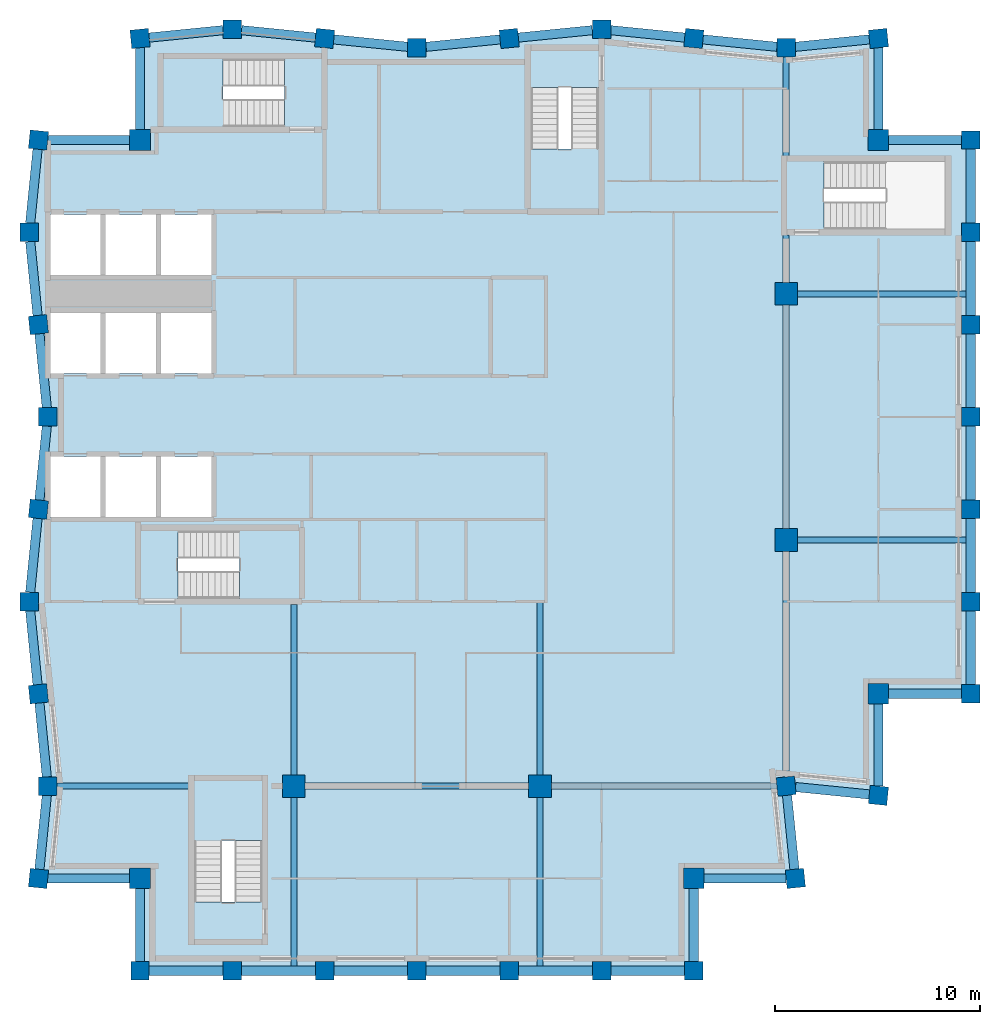
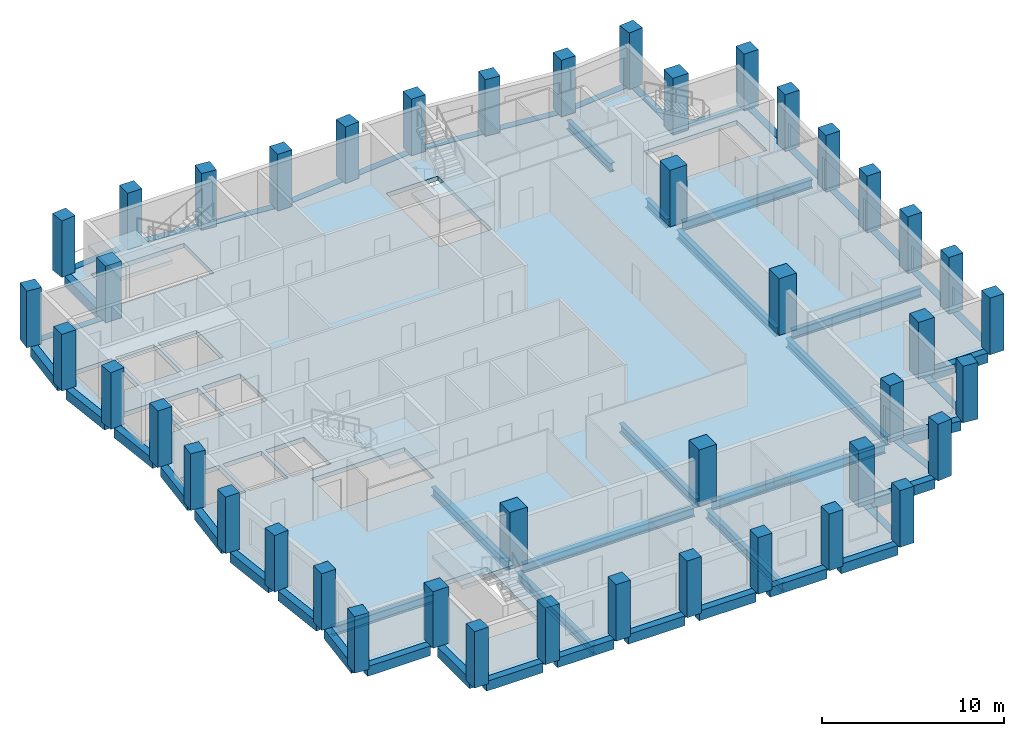
# One storey, part 1 of 7: 53 beams, 44 columns, 5 slabs, 4 elements without a shape of their own.
"""IFC4 building model written with IfcOpenShell, lengths in metres."""

from ifc_helpers import new_model, si_unit, direction, frame, origin, origin_2d, place, context, subcontext, project, spatial, polyline, rectangle, i_section, outline, extrude, material, layer, layer_set, material_profile, profile_set, type_object, element, aggregate, save


model = new_model("IFC4")

# Units and contexts
model_context = context("Model", 3, precision=1e-05, world=origin(), true_north=direction((0.0, 1.0)))
body_context = subcontext(model_context, "Body", "Model", "MODEL_VIEW")
ifc_project = project(units=[si_unit("LENGTHUNIT", "METRE"), si_unit("AREAUNIT", "SQUARE_METRE"), si_unit("VOLUMEUNIT", "CUBIC_METRE"), si_unit("PLANEANGLEUNIT", "RADIAN"), si_unit("MASSUNIT", "GRAM", prefix="KILO")], contexts=[model_context])

# Site, building, storey
site_placement = place(None, origin())
site = spatial("IfcSite", under=ifc_project, at=site_placement, CompositionType="ELEMENT")
building_placement = place(site_placement, origin())
building = spatial("IfcBuilding", under=site, at=building_placement, Name="Brondeck Convention Tower", CompositionType="ELEMENT")
storey_placement = place(building_placement, frame((0.0, 0.0, 256.199951171875)))
storey = spatial("IfcBuildingStorey", under=building, at=storey_placement, Name="L63", CompositionType="ELEMENT", Elevation=256.199951171875)

# Columns
ifc_material_1 = material(Name="Concrete C50/60", Category="concrete")
ifc_material_profile_1 = material_profile(ifc_material_1, rectangle(XDim=1.0, YDim=1.0, at=origin_2d()), Name="Corner column 1000x1000 Concrete C50/60")
ifc_profile_set_1 = profile_set([ifc_material_profile_1], Name="Concrete C50/60")
column_type_1 = type_object("IfcColumnType", Name="Corner column 1000x1000 Concrete C50/60", PredefinedType="COLUMN", material=ifc_profile_set_1)
for number, where, z_axis, x_axis, name in (
    (1, (4.5, 22.5, 0.0), (0.0, 0.0, 1.0), (1.0, 0.0, 0.0), "STR-COL-L63-NC-SWB18"),
    (2, (31.5, 22.5, 0.0), (0.0, 0.0, 1.0), (1.0, 0.0, 0.0), "STR-COL-L63-NC-SEB18"),
    (3, (40.5, 31.5, 0.0), (0.0, 0.0, 1.0), (1.0, 0.0, 0.0), "STR-COL-L63-NC-SEA45"),
    (4, (40.5, 58.5, 0.0), (0.0, 0.0, 1.0), (1.0, 0.0, 0.0), "STR-COL-L63-NC-NEA45"),
    (5, (4.5, 58.5, 0.0), (0.0, 0.0, 1.0), (1.0, 0.0, 0.0), "STR-COL-L63-NC-NW"),
):
    element("IfcColumn", number, at=place(storey_placement, frame(where, z_axis=z_axis, x_axis=x_axis)), inside=storey, type_object=column_type_1, Name=name, PredefinedType="COLUMN", context=body_context, shape_type="SweptSolid", body=[
        extrude(rectangle(XDim=1.0, YDim=1.0, at=origin_2d()), origin(), (0.0, 0.0, 1.0), 3.800048828125),
    ])
ifc_material_profile_2 = material_profile(ifc_material_1, rectangle(XDim=1.10009765625, YDim=1.10009765625, at=origin_2d()), Name="Interior column 1100x1100 Concrete C50/60")
ifc_profile_set_2 = profile_set([ifc_material_profile_2], Name="Concrete C50/60")
column_type_2 = type_object("IfcColumnType", Name="Interior column 1100x1100 Concrete C50/60", PredefinedType="COLUMN", material=ifc_profile_set_2)
for number, where, z_axis, x_axis, name in (
    (6, (12.0, 27.0, 0.0), (0.0, 0.0, 1.0), (1.0, 0.0, 0.0), "STR-COL-L63-IC-03"),
    (7, (24.0, 27.0, 0.0), (0.0, 0.0, 1.0), (1.0, 0.0, 0.0), "STR-COL-L63-IC-06"),
    (8, (36.0, 39.0, 0.0), (0.0, 0.0, 1.0), (1.0, 0.0, 0.0), "STR-COL-L63-IC-07"),
    (9, (36.0, 51.0, 0.0), (0.0, 0.0, 1.0), (1.0, 0.0, 0.0), "STR-COL-L63-IC-08"),
):
    element("IfcColumn", number, at=place(storey_placement, frame(where, z_axis=z_axis, x_axis=x_axis)), inside=storey, type_object=column_type_2, Name=name, PredefinedType="COLUMN", context=body_context, shape_type="SweptSolid", body=[
        extrude(rectangle(XDim=1.10009765625, YDim=1.10009765625, at=origin_2d()), origin(), (0.0, 0.0, 1.0), 3.800048828125),
    ])
ifc_material_profile_3 = material_profile(ifc_material_1, rectangle(XDim=0.89990234375, YDim=0.89990234375, at=origin_2d()), Name="Perimeter pier 900x900 Concrete C50/60")
ifc_profile_set_3 = profile_set([ifc_material_profile_3], Name="Concrete C50/60")
column_type_3 = type_object("IfcColumnType", Name="Perimeter pier 900x900 Concrete C50/60", PredefinedType="COLUMN", material=ifc_profile_set_3)
for number, where, z_axis, x_axis, name in (
    (10, (4.5, 18.0, 0.0), (0.0, 0.0, 1.0), (1.0, 0.0, 0.0), "STR-COL-L63-PC-B-S18-01"),
    (11, (9.0, 18.0, 0.0), (0.0, 0.0, 1.0), (1.0, 0.0, 0.0), "STR-COL-L63-PC-B-S18-02"),
    (12, (13.5, 18.0, 0.0), (0.0, 0.0, 1.0), (1.0, 0.0, 0.0), "STR-COL-L63-PC-B-S18-03"),
    (13, (18.0, 18.0, 0.0), (0.0, 0.0, 1.0), (1.0, 0.0, 0.0), "STR-COL-L63-PC-B-S18-04"),
    (14, (22.5, 18.0, 0.0), (0.0, 0.0, 1.0), (1.0, 0.0, 0.0), "STR-COL-L63-PC-B-S18-05"),
    (15, (27.0, 18.0, 0.0), (0.0, 0.0, 1.0), (1.0, 0.0, 0.0), "STR-COL-L63-PC-B-S18-06"),
    (16, (31.5, 18.0, 0.0), (0.0, 0.0, 1.0), (1.0, 0.0, 0.0), "STR-COL-L63-PC-B-S18-07"),
    (17, (36.449951171875, 22.5, 0.0), (0.0, 0.0, 1.0), (-0.0995038382, 0.995037178292, 0.0), "STR-COL-L63-PC-B-E-01"),
    (18, (36.0, 27.0, 0.0), (0.0, 0.0, 1.0), (-0.0995038382, 0.995037178292, 0.0), "STR-COL-L63-PC-B-E-00"),
    (19, (40.5, 26.550048828125, 0.0), (0.0, 0.0, 1.0), (0.995037178292, -0.0995038382, 0.0), "STR-COL-L63-PC-A-S-01"),
    (20, (45.0, 31.5, 0.0), (0.0, 0.0, 1.0), (0.0, 1.0, 0.0), "STR-COL-L63-PC-A-E45-01"),
    (21, (45.0, 36.0, 0.0), (0.0, 0.0, 1.0), (0.0, 1.0, 0.0), "STR-COL-L63-PC-A-E45-02"),
    (22, (45.0, 40.5, 0.0), (0.0, 0.0, 1.0), (0.0, 1.0, 0.0), "STR-COL-L63-PC-A-E45-03"),
    (23, (45.0, 45.0, 0.0), (0.0, 0.0, 1.0), (0.0, 1.0, 0.0), "STR-COL-L63-PC-A-E45-04"),
    (24, (45.0, 49.5, 0.0), (0.0, 0.0, 1.0), (0.0, 1.0, 0.0), "STR-COL-L63-PC-A-E45-05"),
    (25, (45.0, 54.0, 0.0), (0.0, 0.0, 1.0), (0.0, 1.0, 0.0), "STR-COL-L63-PC-A-E45-06"),
    (26, (45.0, 58.5, 0.0), (0.0, 0.0, 1.0), (0.0, 1.0, 0.0), "STR-COL-L63-PC-A-E45-07"),
    (27, (40.5, 63.449951171875, 0.0), (0.0, 0.0, 1.0), (-0.995037178292, -0.0995038382, 0.0), "STR-COL-L63-PC-A-N-09"),
    (28, (36.0, 63.0, 0.0), (0.0, 0.0, 1.0), (-1.0, 0.0, 0.0), "STR-COL-L63-PC-A-N-08"),
    (29, (31.5, 63.449951171875, 0.0), (0.0, 0.0, 1.0), (-0.995037178292, 0.0995038382, 0.0), "STR-COL-L63-PC-A-N-07"),
    (30, (27.0, 63.89990234375, 0.0), (0.0, 0.0, 1.0), (-1.0, 0.0, 0.0), "STR-COL-L63-PC-A-N-06"),
    (31, (22.5, 63.449951171875, 0.0), (0.0, 0.0, 1.0), (-0.995037178292, -0.0995038382, 0.0), "STR-COL-L63-PC-A-N-05"),
    (32, (18.0, 63.0, 0.0), (0.0, 0.0, 1.0), (-1.0, 0.0, 0.0), "STR-COL-L63-PC-A-N-04"),
    (33, (13.5, 63.449951171875, 0.0), (0.0, 0.0, 1.0), (-0.995037178292, 0.0995038382, 0.0), "STR-COL-L63-PC-A-N-03"),
    (34, (9.0, 63.89990234375, 0.0), (0.0, 0.0, 1.0), (-1.0, 0.0, 0.0), "STR-COL-L63-PC-A-N-02"),
    (35, (4.5, 63.449951171875, 0.0), (0.0, 0.0, 1.0), (-0.995037178292, -0.0995038382, 0.0), "STR-COL-L63-PC-A-N-01"),
    (36, (-0.449951171875, 58.5, 0.0), (0.0, 0.0, 1.0), (-0.0995038382, -0.995037178292, 0.0), "STR-COL-L63-PC-B-W-01"),
    (37, (-0.89990234375, 54.0, 0.0), (0.0, 0.0, 1.0), (0.0, -1.0, 0.0), "STR-COL-L63-PC-B-W-02"),
    (38, (-0.449951171875, 49.5, 0.0), (0.0, 0.0, 1.0), (0.0995038382, -0.995037178292, 0.0), "STR-COL-L63-PC-B-W-03"),
    (39, (0.0, 45.0, 0.0), (0.0, 0.0, 1.0), (0.0, -1.0, 0.0), "STR-COL-L63-PC-B-W-04"),
    (40, (-0.449951171875, 40.5, 0.0), (0.0, 0.0, 1.0), (-0.0995038382, -0.995037178292, 0.0), "STR-COL-L63-PC-B-W-05"),
    (41, (-0.89990234375, 36.0, 0.0), (0.0, 0.0, 1.0), (0.0, -1.0, 0.0), "STR-COL-L63-PC-B-W-06"),
    (42, (-0.449951171875, 31.5, 0.0), (0.0, 0.0, 1.0), (0.0995038382, -0.995037178292, 0.0), "STR-COL-L63-PC-B-W-07"),
    (43, (0.0, 27.0, 0.0), (0.0, 0.0, 1.0), (0.0, -1.0, 0.0), "STR-COL-L63-PC-B-W-08"),
    (44, (-0.449951171875, 22.5, 0.0), (0.0, 0.0, 1.0), (-0.0995038382, -0.995037178292, 0.0), "STR-COL-L63-PC-B-W-09"),
):
    element("IfcColumn", number, at=place(storey_placement, frame(where, z_axis=z_axis, x_axis=x_axis)), inside=storey, type_object=column_type_3, Name=name, PredefinedType="COLUMN", context=body_context, shape_type="SweptSolid", body=[
        extrude(rectangle(XDim=0.89990234375, YDim=0.89990234375, at=origin_2d()), origin(), (0.0, 0.0, 1.0), 3.800048828125),
    ])

# Beams
ifc_material_2 = material(Name="Steel S355", Category="steel")
ifc_material_profile_4 = material_profile(ifc_material_2, i_section(OverallWidth=0.300048828125, OverallDepth=0.60009765625, WebThickness=0.015380859375, FlangeThickness=0.030029296875, FilletRadius=0.027099609375, at=origin_2d()), Name="HEB 600")
ifc_profile_set_4 = profile_set([ifc_material_profile_4], Name="Steel S355")
beam_type_1 = type_object("IfcBeamType", Name="Girder HEB 600", PredefinedType="BEAM", material=ifc_profile_set_4)
for number, where, z_axis, x_axis, name in (
    (45, (36.550048828125, 39.0, -0.599853515625), (1.0, 0.0, 0.0), (0.0, 1.0, 0.0), "STR-GR-L63-001"),
    (46, (36.550048828125, 51.0, -0.599853515625), (1.0, 0.0, 0.0), (0.0, 1.0, 0.0), "STR-GR-L63-002"),
):
    element("IfcBeam", number, at=place(storey_placement, frame(where, z_axis=z_axis, x_axis=x_axis)), inside=storey, type_object=beam_type_1, Name=name, PredefinedType="BEAM", context=body_context, shape_type="SweptSolid", body=[
        extrude(i_section(OverallWidth=0.300048828125, OverallDepth=0.60009765625, WebThickness=0.015380859375, FlangeThickness=0.030029296875, FilletRadius=0.027099609375, at=origin_2d()), origin(), (0.0, 0.0, 1.0), 8.224853515625),
    ])
beam_1_placement = place(storey_placement, frame((36.0, 27.4521484375, -0.599853515625), z_axis=(0.0, 1.0, 0.0), x_axis=(-1.0, 0.0, 0.0)))
element("IfcBeam", 47, at=beam_1_placement, inside=storey, type_object=beam_type_1, Name="STR-GR-L63-003", PredefinedType="BEAM", context=body_context, shape_type="SweptSolid", body=[
    extrude(i_section(OverallWidth=0.300048828125, OverallDepth=0.60009765625, WebThickness=0.015380859375, FlangeThickness=0.030029296875, FilletRadius=0.027099609375, at=origin_2d()), origin(), (0.0, 0.0, 1.0), 10.997802734375),
])
beam_2_placement = place(storey_placement, frame((36.0, 39.550048828125, -0.599853515625), z_axis=(0.0, 1.0, 0.0), x_axis=(-1.0, 0.0, 0.0)))
element("IfcBeam", 48, at=beam_2_placement, inside=storey, type_object=beam_type_1, Name="STR-GR-L63-004", PredefinedType="BEAM", context=body_context, shape_type="SweptSolid", body=[
    extrude(i_section(OverallWidth=0.300048828125, OverallDepth=0.60009765625, WebThickness=0.015380859375, FlangeThickness=0.030029296875, FilletRadius=0.027099609375, at=origin_2d()), origin(), (0.0, 0.0, 1.0), 10.89990234375),
])
beam_3_placement = place(storey_placement, frame((36.0, 51.550048828125, -0.599853515625), z_axis=(0.0, 1.0, 0.0), x_axis=(-1.0, 0.0, 0.0)))
element("IfcBeam", 49, at=beam_3_placement, inside=storey, type_object=beam_type_1, Name="STR-GR-L63-005", PredefinedType="BEAM", context=body_context, shape_type="SweptSolid", body=[
    extrude(i_section(OverallWidth=0.300048828125, OverallDepth=0.60009765625, WebThickness=0.015380859375, FlangeThickness=0.030029296875, FilletRadius=0.027099609375, at=origin_2d()), origin(), (0.0, 0.0, 1.0), 2.329833984375),
])
beam_4_placement = place(storey_placement, frame((36.0, 57.719970703125, -0.599853515625), z_axis=(0.0, 1.0, 0.0), x_axis=(-1.0, 0.0, 0.0)))
element("IfcBeam", 50, at=beam_4_placement, inside=storey, type_object=beam_type_1, Name="STR-GR-L63-006", PredefinedType="BEAM", context=body_context, shape_type="SweptSolid", body=[
    extrude(i_section(OverallWidth=0.300048828125, OverallDepth=0.60009765625, WebThickness=0.015380859375, FlangeThickness=0.030029296875, FilletRadius=0.027099609375, at=origin_2d()), origin(), (0.0, 0.0, 1.0), 4.830078125),
])
beam_5_placement = place(storey_placement, frame((12.0, 35.85009765625, -0.599853515625), z_axis=(0.0, -1.0, 0.0), x_axis=(1.0, 0.0, 0.0)))
element("IfcBeam", 51, at=beam_5_placement, inside=storey, type_object=beam_type_1, Name="STR-GR-L63-007", PredefinedType="BEAM", context=body_context, shape_type="SweptSolid", body=[
    extrude(i_section(OverallWidth=0.300048828125, OverallDepth=0.60009765625, WebThickness=0.015380859375, FlangeThickness=0.030029296875, FilletRadius=0.027099609375, at=origin_2d()), origin(), (0.0, 0.0, 1.0), 8.300048828125),
])
beam_6_placement = place(storey_placement, frame((12.0, 26.449951171875, -0.599853515625), z_axis=(0.0, -1.0, 0.0), x_axis=(1.0, 0.0, 0.0)))
element("IfcBeam", 52, at=beam_6_placement, inside=storey, type_object=beam_type_1, Name="STR-GR-L63-008", PredefinedType="BEAM", context=body_context, shape_type="SweptSolid", body=[
    extrude(i_section(OverallWidth=0.300048828125, OverallDepth=0.60009765625, WebThickness=0.015380859375, FlangeThickness=0.030029296875, FilletRadius=0.027099609375, at=origin_2d()), origin(), (0.0, 0.0, 1.0), 8.224853515625),
])
beam_7_placement = place(storey_placement, frame((24.0, 35.955078125, -0.599853515625), z_axis=(0.0, -1.0, 0.0), x_axis=(1.0, 0.0, 0.0)))
element("IfcBeam", 53, at=beam_7_placement, inside=storey, type_object=beam_type_1, Name="STR-GR-L63-009", PredefinedType="BEAM", context=body_context, shape_type="SweptSolid", body=[
    extrude(i_section(OverallWidth=0.300048828125, OverallDepth=0.60009765625, WebThickness=0.015380859375, FlangeThickness=0.030029296875, FilletRadius=0.027099609375, at=origin_2d()), origin(), (0.0, 0.0, 1.0), 8.405029296875),
])
beam_8_placement = place(storey_placement, frame((24.0, 26.449951171875, -0.599853515625), z_axis=(0.0, -1.0, 0.0), x_axis=(1.0, 0.0, 0.0)))
element("IfcBeam", 54, at=beam_8_placement, inside=storey, type_object=beam_type_1, Name="STR-GR-L63-010", PredefinedType="BEAM", context=body_context, shape_type="SweptSolid", body=[
    extrude(i_section(OverallWidth=0.300048828125, OverallDepth=0.60009765625, WebThickness=0.015380859375, FlangeThickness=0.030029296875, FilletRadius=0.027099609375, at=origin_2d()), origin(), (0.0, 0.0, 1.0), 8.224853515625),
])
beam_9_placement = place(storey_placement, frame((0.449951171875, 27.0, -0.599853515625), z_axis=(1.0, 0.0, 0.0), x_axis=(0.0, 1.0, 0.0)))
element("IfcBeam", 55, at=beam_9_placement, inside=storey, type_object=beam_type_1, Name="STR-GR-L63-011", PredefinedType="BEAM", context=body_context, shape_type="SweptSolid", body=[
    extrude(i_section(OverallWidth=0.300048828125, OverallDepth=0.60009765625, WebThickness=0.015380859375, FlangeThickness=0.030029296875, FilletRadius=0.027099609375, at=origin_2d()), origin(), (0.0, 0.0, 1.0), 6.429931640625),
])
beam_10_placement = place(storey_placement, frame((12.550048828125, 27.0, -0.599853515625), z_axis=(1.0, 0.0, 0.0), x_axis=(0.0, 1.0, 0.0)))
element("IfcBeam", 56, at=beam_10_placement, inside=storey, type_object=beam_type_1, Name="STR-GR-L63-012", PredefinedType="BEAM", context=body_context, shape_type="SweptSolid", body=[
    extrude(i_section(OverallWidth=0.300048828125, OverallDepth=0.60009765625, WebThickness=0.015380859375, FlangeThickness=0.030029296875, FilletRadius=0.027099609375, at=origin_2d()), origin(), (0.0, 0.0, 1.0), 10.89990234375),
])
beam_11_placement = place(storey_placement, frame((24.550048828125, 27.0, -0.599853515625), z_axis=(1.0, 0.0, 0.0), x_axis=(0.0, 1.0, 0.0)))
element("IfcBeam", 57, at=beam_11_placement, inside=storey, type_object=beam_type_1, Name="STR-GR-L63-013", PredefinedType="BEAM", context=body_context, shape_type="SweptSolid", body=[
    extrude(i_section(OverallWidth=0.300048828125, OverallDepth=0.60009765625, WebThickness=0.015380859375, FlangeThickness=0.030029296875, FilletRadius=0.027099609375, at=origin_2d()), origin(), (0.0, 0.0, 1.0), 10.997802734375),
])
ifc_material_profile_5 = material_profile(ifc_material_1, rectangle(XDim=0.449951171875, YDim=0.64990234375, at=origin_2d()), Name="Precast spandrel 450x650 Concrete C50/60")
ifc_profile_set_5 = profile_set([ifc_material_profile_5], Name="Concrete C50/60")
beam_type_2 = type_object("IfcBeamType", Name="Precast spandrel 450x650 Concrete C50/60", PredefinedType="SPANDREL", material=ifc_profile_set_5)
for number, where, z_axis, x_axis, name in (
    (58, (4.949951171875, 18.0, -0.324951171875), (1.0, 0.0, 0.0), (0.0, 1.0, 0.0), "STR-SP-L63-001"),
    (59, (9.449951171875, 18.0, -0.324951171875), (1.0, 0.0, 0.0), (0.0, 1.0, 0.0), "STR-SP-L63-002"),
    (60, (13.949951171875, 18.0, -0.324951171875), (1.0, 0.0, 0.0), (0.0, 1.0, 0.0), "STR-SP-L63-003"),
    (61, (18.449951171875, 18.0, -0.324951171875), (1.0, 0.0, 0.0), (0.0, 1.0, 0.0), "STR-SP-L63-004"),
    (62, (22.949951171875, 18.0, -0.324951171875), (1.0, 0.0, 0.0), (0.0, 1.0, 0.0), "STR-SP-L63-005"),
    (63, (27.449951171875, 18.0, -0.324951171875), (1.0, 0.0, 0.0), (0.0, 1.0, 0.0), "STR-SP-L63-006"),
):
    element("IfcBeam", number, at=place(storey_placement, frame(where, z_axis=z_axis, x_axis=x_axis)), inside=storey, type_object=beam_type_2, Name=name, PredefinedType="SPANDREL", context=body_context, shape_type="SweptSolid", body=[
        extrude(rectangle(XDim=0.449951171875, YDim=0.64990234375, at=origin_2d()), origin(), (0.0, 0.0, 1.0), 3.60009765625),
    ])
beam_12_placement = place(storey_placement, frame((31.5, 18.449951171875, -0.324951171875), z_axis=(0.0, 1.0, 0.0), x_axis=(-1.0, 0.0, 0.0)))
element("IfcBeam", 64, at=beam_12_placement, inside=storey, type_object=beam_type_2, Name="STR-SP-L63-007", PredefinedType="SPANDREL", context=body_context, shape_type="SweptSolid", body=[
    extrude(rectangle(XDim=0.449951171875, YDim=0.64990234375, at=origin_2d()), origin(), (0.0, 0.0, 1.0), 3.550048828125),
])
beam_13_placement = place(storey_placement, frame((32.0, 22.5, -0.324951171875), z_axis=(1.0, 0.0, 0.0), x_axis=(0.0, 1.0, 0.0)))
element("IfcBeam", 65, at=beam_13_placement, inside=storey, type_object=beam_type_2, Name="STR-SP-L63-008", PredefinedType="SPANDREL", context=body_context, shape_type="SweptSolid", body=[
    extrude(rectangle(XDim=0.449951171875, YDim=0.64990234375, at=origin_2d()), origin(), (0.0, 0.0, 1.0), 3.997802734375),
])
beam_14_placement = place(storey_placement, frame((36.4052734375, 22.94775390625, -0.324951171875), z_axis=(-0.099543756114, 0.995033185687, 0.0), x_axis=(-0.995033185687, -0.099543756114, 0.0)))
element("IfcBeam", 66, at=beam_14_placement, inside=storey, type_object=beam_type_2, Name="STR-SP-L63-009", PredefinedType="SPANDREL", context=body_context, shape_type="SweptSolid", body=[
    extrude(rectangle(XDim=0.449951171875, YDim=0.64990234375, at=origin_2d()), origin(), (0.0, 0.0, 1.0), 3.62255859375),
])
beam_15_placement = place(storey_placement, frame((36.456787109375, 26.954345703125, -0.324951171875), z_axis=(0.995035183115, -0.099523787922, 0.0), x_axis=(0.099523787922, 0.995035183115, 0.0)))
element("IfcBeam", 67, at=beam_15_placement, inside=storey, type_object=beam_type_2, Name="STR-SP-L63-010", PredefinedType="SPANDREL", context=body_context, shape_type="SweptSolid", body=[
    extrude(rectangle(XDim=0.449951171875, YDim=0.64990234375, at=origin_2d()), origin(), (0.0, 0.0, 1.0), 3.61328125),
])
beam_16_placement = place(storey_placement, frame((40.5, 27.002197265625, -0.324951171875), z_axis=(0.0, 1.0, 0.0), x_axis=(-1.0, 0.0, 0.0)))
element("IfcBeam", 68, at=beam_16_placement, inside=storey, type_object=beam_type_2, Name="STR-SP-L63-011", PredefinedType="SPANDREL", context=body_context, shape_type="SweptSolid", body=[
    extrude(rectangle(XDim=0.449951171875, YDim=0.64990234375, at=origin_2d()), origin(), (0.0, 0.0, 1.0), 3.997802734375),
])
beam_17_placement = place(storey_placement, frame((41.0, 31.5, -0.324951171875), z_axis=(1.0, 0.0, 0.0), x_axis=(0.0, 1.0, 0.0)))
element("IfcBeam", 69, at=beam_17_placement, inside=storey, type_object=beam_type_2, Name="STR-SP-L63-012", PredefinedType="SPANDREL", context=body_context, shape_type="SweptSolid", body=[
    extrude(rectangle(XDim=0.449951171875, YDim=0.64990234375, at=origin_2d()), origin(), (0.0, 0.0, 1.0), 3.550048828125),
])
for number, where, z_axis, x_axis, name in (
    (70, (45.0, 31.949951171875, -0.324951171875), (0.0, 1.0, 0.0), (-1.0, 0.0, 0.0), "STR-SP-L63-013"),
    (71, (45.0, 36.449951171875, -0.324951171875), (0.0, 1.0, 0.0), (-1.0, 0.0, 0.0), "STR-SP-L63-014"),
    (72, (45.0, 40.949951171875, -0.324951171875), (0.0, 1.0, 0.0), (-1.0, 0.0, 0.0), "STR-SP-L63-015"),
    (73, (45.0, 45.449951171875, -0.324951171875), (0.0, 1.0, 0.0), (-1.0, 0.0, 0.0), "STR-SP-L63-016"),
    (74, (45.0, 49.949951171875, -0.324951171875), (0.0, 1.0, 0.0), (-1.0, 0.0, 0.0), "STR-SP-L63-017"),
    (75, (45.0, 54.449951171875, -0.324951171875), (0.0, 1.0, 0.0), (-1.0, 0.0, 0.0), "STR-SP-L63-018"),
):
    element("IfcBeam", number, at=place(storey_placement, frame(where, z_axis=z_axis, x_axis=x_axis)), inside=storey, type_object=beam_type_2, Name=name, PredefinedType="SPANDREL", context=body_context, shape_type="SweptSolid", body=[
        extrude(rectangle(XDim=0.449951171875, YDim=0.64990234375, at=origin_2d()), origin(), (0.0, 0.0, 1.0), 3.60009765625),
    ])
beam_18_placement = place(storey_placement, frame((44.550048828125, 58.5, -0.324951171875), z_axis=(-1.0, 0.0, 0.0), x_axis=(0.0, -1.0, 0.0)))
element("IfcBeam", 76, at=beam_18_placement, inside=storey, type_object=beam_type_2, Name="STR-SP-L63-019", PredefinedType="SPANDREL", context=body_context, shape_type="SweptSolid", body=[
    extrude(rectangle(XDim=0.449951171875, YDim=0.64990234375, at=origin_2d()), origin(), (0.0, 0.0, 1.0), 3.550048828125),
])
beam_19_placement = place(storey_placement, frame((40.5, 59.0, -0.324951171875), z_axis=(0.0, 1.0, 0.0), x_axis=(-1.0, 0.0, 0.0)))
element("IfcBeam", 77, at=beam_19_placement, inside=storey, type_object=beam_type_2, Name="STR-SP-L63-020", PredefinedType="SPANDREL", context=body_context, shape_type="SweptSolid", body=[
    extrude(rectangle(XDim=0.449951171875, YDim=0.64990234375, at=origin_2d()), origin(), (0.0, 0.0, 1.0), 3.997802734375),
])
for number, where, z_axis, x_axis, name in (
    (78, (40.05224609375, 63.4052734375, -0.324951171875), (-0.995033851182, -0.099537103649, 0.0), (0.099537103649, -0.995033851182, 0.0), "STR-SP-L63-021"),
    (79, (35.550048828125, 63.044921875, -0.324951171875), (-0.995033851182, 0.099537103649, 0.0), (-0.099537103649, -0.995033851182, 0.0), "STR-SP-L63-022"),
    (80, (31.05224609375, 63.494873046875, -0.324951171875), (-0.995040528141, 0.099470334057, 0.0), (-0.099470334057, -0.995040528141, 0.0), "STR-SP-L63-023"),
    (81, (26.550048828125, 63.85498046875, -0.324951171875), (-0.995040528141, -0.099470334057, 0.0), (0.099470334057, -0.995040528141, 0.0), "STR-SP-L63-024"),
    (82, (22.05224609375, 63.4052734375, -0.324951171875), (-0.995033851182, -0.099537103649, 0.0), (0.099537103649, -0.995033851182, 0.0), "STR-SP-L63-025"),
    (83, (17.550048828125, 63.044921875, -0.324951171875), (-0.995033851182, 0.099537103649, 0.0), (-0.099537103649, -0.995033851182, 0.0), "STR-SP-L63-026"),
    (84, (13.05224609375, 63.494873046875, -0.324951171875), (-0.995040528141, 0.099470334057, 0.0), (-0.099470334057, -0.995040528141, 0.0), "STR-SP-L63-027"),
    (85, (8.550048828125, 63.85498046875, -0.324951171875), (-0.995040528141, -0.099470334057, 0.0), (0.099470334057, -0.995040528141, 0.0), "STR-SP-L63-028"),
):
    element("IfcBeam", number, at=place(storey_placement, frame(where, z_axis=z_axis, x_axis=x_axis)), inside=storey, type_object=beam_type_2, Name=name, PredefinedType="SPANDREL", context=body_context, shape_type="SweptSolid", body=[
        extrude(rectangle(XDim=0.449951171875, YDim=0.64990234375, at=origin_2d()), origin(), (0.0, 0.0, 1.0), 3.620361328125),
    ])
for number, where, z_axis, x_axis, name in (
    (86, (4.5, 62.997802734375, -0.324951171875), (0.0, -1.0, 0.0), (1.0, 0.0, 0.0), "STR-SP-L63-029"),
    (87, (4.0, 58.5, -0.324951171875), (-1.0, 0.0, 0.0), (0.0, -1.0, 0.0), "STR-SP-L63-030"),
):
    element("IfcBeam", number, at=place(storey_placement, frame(where, z_axis=z_axis, x_axis=x_axis)), inside=storey, type_object=beam_type_2, Name=name, PredefinedType="SPANDREL", context=body_context, shape_type="SweptSolid", body=[
        extrude(rectangle(XDim=0.449951171875, YDim=0.64990234375, at=origin_2d()), origin(), (0.0, 0.0, 1.0), 3.997802734375),
    ])
for number, where, z_axis, x_axis, name in (
    (88, (-0.494873046875, 58.05224609375, -0.324951171875), (-0.099470334057, -0.995040528141, 0.0), (0.995040528141, -0.099470334057, 0.0), "STR-SP-L63-031"),
    (89, (-0.85498046875, 53.550048828125, -0.324951171875), (0.099470334057, -0.995040528141, 0.0), (0.995040528141, 0.099470334057, 0.0), "STR-SP-L63-032"),
    (90, (-0.4052734375, 49.05224609375, -0.324951171875), (0.099537103649, -0.995033851182, 0.0), (0.995033851182, 0.099537103649, 0.0), "STR-SP-L63-033"),
    (91, (-0.044921875, 44.550048828125, -0.324951171875), (-0.099537103649, -0.995033851182, 0.0), (0.995033851182, -0.099537103649, 0.0), "STR-SP-L63-034"),
    (92, (-0.494873046875, 40.05224609375, -0.324951171875), (-0.099470334057, -0.995040528141, 0.0), (0.995040528141, -0.099470334057, 0.0), "STR-SP-L63-035"),
    (93, (-0.85498046875, 35.550048828125, -0.324951171875), (0.099470334057, -0.995040528141, 0.0), (0.995040528141, 0.099470334057, 0.0), "STR-SP-L63-036"),
    (94, (-0.4052734375, 31.05224609375, -0.324951171875), (0.099537103649, -0.995033851182, 0.0), (0.995033851182, 0.099537103649, 0.0), "STR-SP-L63-037"),
    (95, (-0.044921875, 26.550048828125, -0.324951171875), (-0.099537103649, -0.995033851182, 0.0), (0.995033851182, -0.099537103649, 0.0), "STR-SP-L63-038"),
):
    element("IfcBeam", number, at=place(storey_placement, frame(where, z_axis=z_axis, x_axis=x_axis)), inside=storey, type_object=beam_type_2, Name=name, PredefinedType="SPANDREL", context=body_context, shape_type="SweptSolid", body=[
        extrude(rectangle(XDim=0.449951171875, YDim=0.64990234375, at=origin_2d()), origin(), (0.0, 0.0, 1.0), 3.620361328125),
    ])
beam_20_placement = place(storey_placement, frame((0.002197265625, 22.5, -0.324951171875), z_axis=(1.0, 0.0, 0.0), x_axis=(0.0, 1.0, 0.0)))
element("IfcBeam", 96, at=beam_20_placement, inside=storey, type_object=beam_type_2, Name="STR-SP-L63-039", PredefinedType="SPANDREL", context=body_context, shape_type="SweptSolid", body=[
    extrude(rectangle(XDim=0.449951171875, YDim=0.64990234375, at=origin_2d()), origin(), (0.0, 0.0, 1.0), 3.997802734375),
])
beam_21_placement = place(storey_placement, frame((4.5, 22.0, -0.324951171875), z_axis=(0.0, -1.0, 0.0), x_axis=(1.0, 0.0, 0.0)))
element("IfcBeam", 97, at=beam_21_placement, inside=storey, type_object=beam_type_2, Name="STR-SP-L63-040", PredefinedType="SPANDREL", context=body_context, shape_type="SweptSolid", body=[
    extrude(rectangle(XDim=0.449951171875, YDim=0.64990234375, at=origin_2d()), origin(), (0.0, 0.0, 1.0), 3.550048828125),
])

# Slab
ifc_material_3 = material(Name="Concrete C35/45", Category="concrete")
ifc_layer_1 = layer(ifc_material_3, 0.300048828125)
ifc_layer_set_1 = layer_set([ifc_layer_1], Name="Composite floor slab 300")
slab_type_1 = type_object("IfcSlabType", Name="Composite floor slab 300", PredefinedType="FLOOR", material=ifc_layer_set_1)
slab_1_placement = place(storey_placement, frame((0.0, 0.0, -0.300048828125)))
element("IfcSlab", 98, at=slab_1_placement, inside=storey, type_object=slab_type_1, Name="STR-SL-L63", PredefinedType="FLOOR", context=body_context, shape_type="SweptSolid", body=[
    extrude(outline(polyline([(4.5, 22.5), (-0.449951171875, 22.5), (0.0, 27.0), (-0.89990234375, 36.0), (0.0, 45.0), (-0.89990234375, 54.0), (-0.449951171875, 58.5), (4.5, 58.5), (4.5, 63.449951171875), (9.0, 63.89990234375), (18.0, 63.0), (27.0, 63.89990234375), (36.0, 63.0), (40.5, 63.449951171875), (40.5, 58.5), (45.0, 58.5), (45.0, 31.5), (40.5, 31.5), (40.5, 26.550048828125), (36.0, 27.0), (36.449951171875, 22.5), (31.5, 22.5), (31.5, 18.0), (4.5, 18.0), (4.5, 22.5)]), holes=[polyline([(2.574951171875, 43.074951171875), (0.125, 43.074951171875), (0.125, 40.125), (2.574951171875, 40.125), (2.574951171875, 43.074951171875)]), polyline([(5.27490234375, 40.125), (5.27490234375, 43.074951171875), (2.824951171875, 43.074951171875), (2.824951171875, 40.125), (5.27490234375, 40.125)]), polyline([(7.97509765625, 40.125), (7.97509765625, 43.074951171875), (5.52490234375, 43.074951171875), (5.52490234375, 40.125), (7.97509765625, 40.125)]), polyline([(2.574951171875, 47.125), (2.574951171875, 50.074951171875), (0.125, 50.074951171875), (0.125, 47.125), (2.574951171875, 47.125)]), polyline([(5.27490234375, 47.125), (5.27490234375, 50.074951171875), (2.824951171875, 50.074951171875), (2.824951171875, 47.125), (5.27490234375, 47.125)]), polyline([(2.574951171875, 51.925048828125), (2.574951171875, 54.875), (0.125, 54.875), (0.125, 51.925048828125), (2.574951171875, 51.925048828125)]), polyline([(5.27490234375, 51.925048828125), (5.27490234375, 54.875), (2.824951171875, 54.875), (2.824951171875, 51.925048828125), (5.27490234375, 51.925048828125)]), polyline([(7.152099609375, 27.248046875), (7.152099609375, 21.35205078125), (10.447998046875, 21.35205078125), (10.447998046875, 27.248046875), (7.152099609375, 27.248046875)]), polyline([(12.248046875, 36.152099609375), (12.248046875, 39.447998046875), (6.35205078125, 39.447998046875), (6.35205078125, 36.152099609375), (12.248046875, 36.152099609375)]), polyline([(7.97509765625, 47.125), (7.97509765625, 50.074951171875), (5.52490234375, 50.074951171875), (5.52490234375, 47.125), (7.97509765625, 47.125)]), polyline([(7.97509765625, 51.925048828125), (7.97509765625, 54.875), (5.52490234375, 54.875), (5.52490234375, 51.925048828125), (7.97509765625, 51.925048828125)]), polyline([(43.748046875, 54.152099609375), (43.748046875, 57.447998046875), (37.85205078125, 57.447998046875), (37.85205078125, 54.152099609375), (43.748046875, 54.152099609375)]), polyline([(23.552001953125, 55.152099609375), (26.847900390625, 55.152099609375), (26.847900390625, 61.048095703125), (23.552001953125, 61.048095703125), (23.552001953125, 55.152099609375)]), polyline([(5.652099609375, 62.447998046875), (5.652099609375, 59.152099609375), (11.548095703125, 59.152099609375), (11.548095703125, 62.447998046875), (5.652099609375, 62.447998046875)])]), origin(), (0.0, 0.0, 1.0), 0.300048828125),
])

# Stair, slab
ifc_material_4 = material(Name="Precast concrete C50/60", Category="concrete")
stair_type = type_object("IfcStairType", Name="Core stair 22 risers 172.73 mm riser 300 mm going 1350 wide", PredefinedType="HALF_TURN_STAIR", material=ifc_material_4)
stair_1_placement = place(storey_placement, origin())
stair_1 = element("IfcStair", 99, at=stair_1_placement, inside=storey, type_object=stair_type, Name="ST-1 L63 stair", PredefinedType="HALF_TURN_STAIR")
ifc_layer_2 = layer(ifc_material_4, 0.25)
ifc_layer_set_2 = layer_set([ifc_layer_2], Name="Core stair landing 250 Precast concrete C50/60")
slab_type_2 = type_object("IfcSlabType", Name="Core stair landing 250 Precast concrete C50/60", PredefinedType="LANDING", material=ifc_layer_set_2)
slab_2_placement = place(storey_placement, frame((0.0, 0.0, 1.650146484375)))
slab_2 = element("IfcSlab", 100, at=slab_2_placement, type_object=slab_type_2, Name="ST-1 landing 1", PredefinedType="LANDING", context=body_context, shape_type="SweptSolid", body=[
    extrude(outline(polyline([(9.347900390625, 37.5), (9.35009765625, 37.5), (9.35009765625, 38.10009765625), (9.050048828125, 38.10009765625), (9.050048828125, 39.570068359375), (12.3701171875, 39.570068359375), (12.3701171875, 36.030029296875), (9.347900390625, 36.030029296875), (9.347900390625, 37.5)])), origin(), (0.0, 0.0, 1.0), 0.25),
])
aggregate(stair_1, [slab_2])

stair_2_placement = place(storey_placement, origin())
stair_2 = element("IfcStair", 101, at=stair_2_placement, inside=storey, type_object=stair_type, Name="ST-2 L63 stair", PredefinedType="HALF_TURN_STAIR")
slab_3_placement = place(storey_placement, frame((0.0, 0.0, 1.650146484375)))
slab_3 = element("IfcSlab", 102, at=slab_3_placement, type_object=slab_type_2, Name="ST-2 landing 1", PredefinedType="LANDING", context=body_context, shape_type="SweptSolid", body=[
    extrude(outline(polyline([(23.429931640625, 58.052001953125), (24.89990234375, 58.052001953125), (24.89990234375, 58.050048828125), (25.5, 58.050048828125), (25.5, 58.35009765625), (26.969970703125, 58.35009765625), (26.969970703125, 55.030029296875), (23.429931640625, 55.030029296875), (23.429931640625, 58.052001953125)])), origin(), (0.0, 0.0, 1.0), 0.25),
])
aggregate(stair_2, [slab_3])

stair_3_placement = place(storey_placement, origin())
stair_3 = element("IfcStair", 103, at=stair_3_placement, inside=storey, type_object=stair_type, Name="ST-3 L63 stair", PredefinedType="HALF_TURN_STAIR")
slab_4_placement = place(storey_placement, frame((0.0, 0.0, 1.650146484375)))
slab_4 = element("IfcSlab", 104, at=slab_4_placement, type_object=slab_type_2, Name="ST-3 landing 1", PredefinedType="LANDING", context=body_context, shape_type="SweptSolid", body=[
    extrude(outline(polyline([(8.85009765625, 60.5), (8.85009765625, 59.030029296875), (5.530029296875, 59.030029296875), (5.530029296875, 62.570068359375), (8.552001953125, 62.570068359375), (8.552001953125, 61.10009765625), (8.550048828125, 61.10009765625), (8.550048828125, 60.5), (8.85009765625, 60.5)])), origin(), (0.0, 0.0, 1.0), 0.25),
])
aggregate(stair_3, [slab_4])

stair_4_placement = place(storey_placement, origin())
stair_4 = element("IfcStair", 105, at=stair_4_placement, inside=storey, type_object=stair_type, Name="ST-BE L63 stair", PredefinedType="HALF_TURN_STAIR")
slab_5_placement = place(storey_placement, frame((0.0, 0.0, 1.650146484375)))
slab_5 = element("IfcSlab", 106, at=slab_5_placement, type_object=slab_type_2, Name="ST-BE landing 1", PredefinedType="LANDING", context=body_context, shape_type="SweptSolid", body=[
    extrude(outline(polyline([(7.030029296875, 24.050048828125), (7.030029296875, 27.3701171875), (10.570068359375, 27.3701171875), (10.570068359375, 24.347900390625), (9.10009765625, 24.347900390625), (9.10009765625, 24.35009765625), (8.5, 24.35009765625), (8.5, 24.050048828125), (7.030029296875, 24.050048828125)])), origin(), (0.0, 0.0, 1.0), 0.25),
])
aggregate(stair_4, [slab_5])

save(model, "model.ifc")
